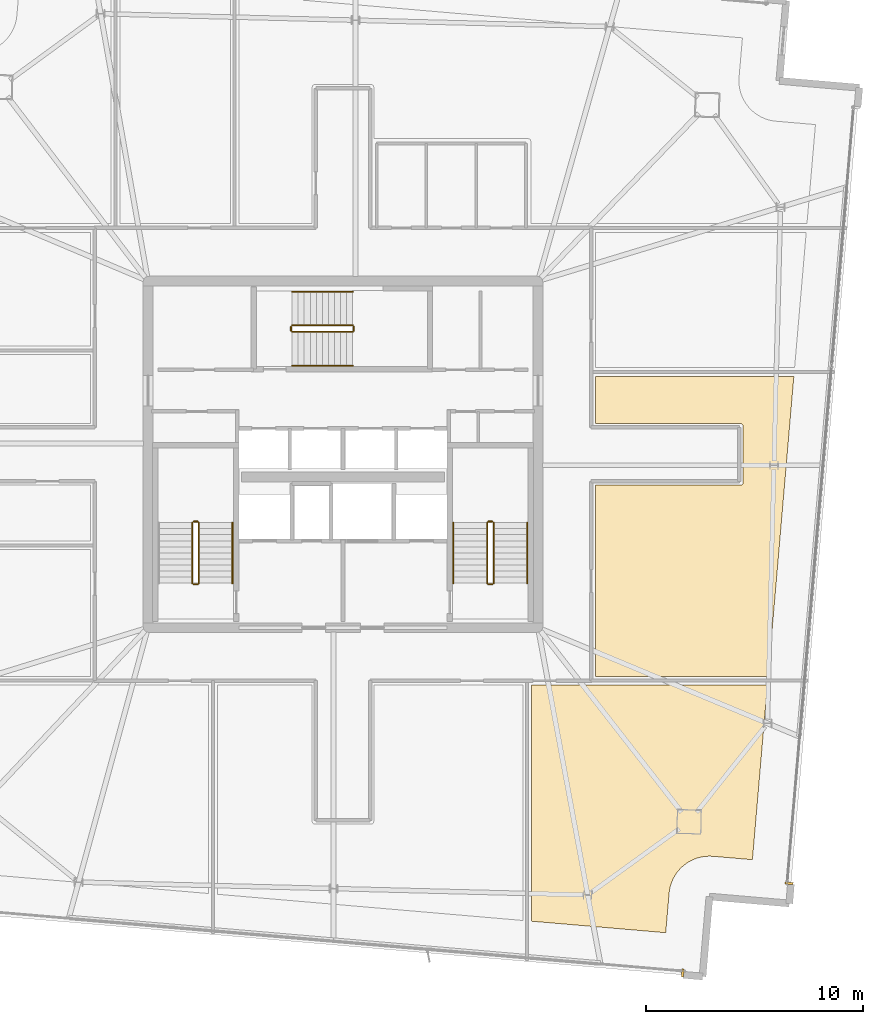
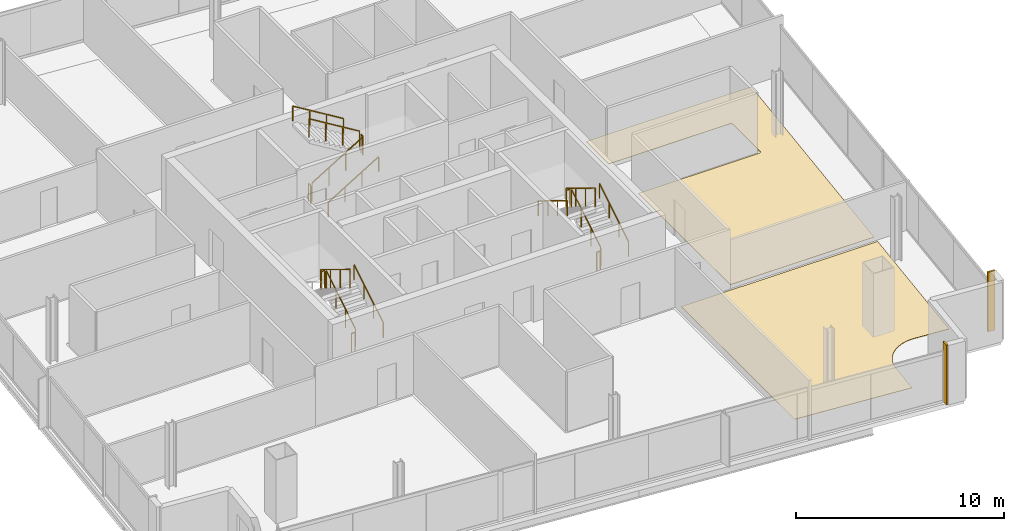
# One storey, part 23 of 24: 17 railings, 4 coverings.
"""IFC4 building model written with IfcOpenShell, lengths in metres."""

from ifc_helpers import new_model, si_unit, direction, frame, origin, origin_2d, place, context, subcontext, project, spatial, polyline, rectangle, outline, extrude, source, transform, mapped, material, layer, layer_set, type_object, element, save


model = new_model("IFC4")

# Units and contexts
model_context = context("Model", 3, precision=1e-05, world=origin(), true_north=direction((0.0, 1.0)))
body_context = subcontext(model_context, "Body", "Model", "MODEL_VIEW")
ifc_project = project(units=[si_unit("LENGTHUNIT", "METRE"), si_unit("AREAUNIT", "SQUARE_METRE"), si_unit("VOLUMEUNIT", "CUBIC_METRE"), si_unit("PLANEANGLEUNIT", "RADIAN"), si_unit("MASSUNIT", "GRAM", prefix="KILO")], contexts=[model_context])

# Site, building, storey
site_placement = place(None, origin())
site = spatial("IfcSite", under=ifc_project, at=site_placement, CompositionType="ELEMENT")
building_placement = place(site_placement, origin())
building = spatial("IfcBuilding", under=site, at=building_placement, Name="Haldenkirk Collegiate Tower", CompositionType="ELEMENT")
storey_placement = place(building_placement, frame((0.0, 0.0, 313.949951171875)))
storey = spatial("IfcBuildingStorey", under=building, at=storey_placement, Name="L79", CompositionType="ELEMENT", Elevation=313.949951171875)

# Coverings
ifc_material_1 = material(Name="Polished collegiate terrazzo", Category="concrete")
ifc_layer_1 = layer(ifc_material_1, 0.02490234375)
ifc_layer_set_1 = layer_set([ifc_layer_1], Name="Polished collegiate terrazzo")
covering_type_1 = type_object("IfcCoveringType", Name="COV-FLOOR-TERRAZZO", PredefinedType="FLOORING", material=ifc_layer_set_1)
covering_1_placement = place(storey_placement, origin())
element("IfcCovering", 1, at=covering_1_placement, inside=storey, type_object=covering_type_1, Name="L79 academic room finish 10", PredefinedType="FLOORING", context=body_context, shape_type="SweptSolid", body=[
    extrude(outline(polyline([(54.35009765625, 24.580078125), (54.36181640625, 24.58056640625), (54.373291015625, 24.582275390625), (54.384765625, 24.585205078125), (54.39599609375, 24.589111328125), (54.406494140625, 24.59423828125), (54.416748046875, 24.60009765625), (54.426025390625, 24.607177734375), (54.434814453125, 24.614990234375), (54.44287109375, 24.623779296875), (54.44970703125, 24.63330078125), (54.455810546875, 24.643310546875), (54.4609375, 24.654052734375), (54.46484375, 24.665283203125), (54.4677734375, 24.676513671875), (54.469482421875, 24.688232421875), (54.469970703125, 24.699951171875), (54.469970703125, 27.300048828125), (54.469482421875, 27.311767578125), (54.4677734375, 27.323486328125), (54.46484375, 27.334716796875), (54.4609375, 27.345947265625), (54.455810546875, 27.356689453125), (54.44970703125, 27.36669921875), (54.44287109375, 27.376220703125), (54.434814453125, 27.385009765625), (54.426025390625, 27.392822265625), (54.416748046875, 27.39990234375), (54.406494140625, 27.40576171875), (54.39599609375, 27.410888671875), (54.384765625, 27.414794921875), (54.373291015625, 27.417724609375), (54.36181640625, 27.41943359375), (54.35009765625, 27.419921875), (47.64990234375, 27.419921875), (47.64990234375, 29.60009765625), (56.813720703125, 29.60009765625), (55.626220703125, 15.75), (47.64990234375, 15.75), (47.64990234375, 24.580078125), (54.35009765625, 24.580078125)])), origin(), (0.0, 0.0, 1.0), 0.025146484375),
])
ifc_material_2 = material(Name="Engineered collegiate oak acoustic flooring", Category="wood")
ifc_layer_2 = layer(ifc_material_2, 0.02197265625)
ifc_layer_set_2 = layer_set([ifc_layer_2], Name="Engineered collegiate oak acoustic flooring")
covering_type_2 = type_object("IfcCoveringType", Name="COV-FLOOR-TIMBER", PredefinedType="FLOORING", material=ifc_layer_set_2)
covering_2_placement = place(storey_placement, origin())
element("IfcCovering", 2, at=covering_2_placement, inside=storey, type_object=covering_type_2, Name="L79 academic room finish 03", PredefinedType="FLOORING", context=body_context, shape_type="SweptSolid", body=[
    extrude(outline(polyline([(52.35791015625, 7.364501953125), (52.346435546875, 7.36083984375), (52.185546875, 7.301025390625), (52.1748046875, 7.29638671875), (52.0205078125, 7.220947265625), (52.01025390625, 7.215087890625), (51.864013671875, 7.125), (51.854248046875, 7.118408203125), (51.7177734375, 7.014404296875), (51.708740234375, 7.0068359375), (51.5830078125, 6.889892578125), (51.57470703125, 6.881591796875), (51.4609375, 6.752685546875), (51.45361328125, 6.74365234375), (51.35302734375, 6.604248046875), (51.3466796875, 6.594482421875), (51.26025390625, 6.446044921875), (51.2548828125, 6.435546875), (51.183349609375, 6.279296875), (51.178955078125, 6.2685546875), (51.123291015625, 6.10595703125), (51.119873046875, 6.0947265625), (51.080078125, 5.927490234375), (51.078125, 5.916015625), (51.05517578125, 5.745849609375), (51.054443359375, 5.739990234375), (50.898193359375, 3.916748046875), (44.699951171875, 4.447998046875), (44.699951171875, 15.35009765625), (55.591796875, 15.35009765625), (54.900634765625, 7.287109375), (53.077392578125, 7.443603515625), (53.071533203125, 7.44384765625), (52.89990234375, 7.4501953125), (52.887939453125, 7.449951171875), (52.716552734375, 7.439453125), (52.704833984375, 7.43798828125), (52.535400390625, 7.41064453125), (52.52392578125, 7.408203125), (52.35791015625, 7.364501953125)])), origin(), (0.0, 0.0, 1.0), 0.02197265625),
])

# Railings
ifc_material_3 = material(Name="Painted architectural tubular steel", Category="steel")
railing_type_1 = type_object("IfcRailingType", Name="RLG-STAIR-GUARD-1100", PredefinedType="BALUSTRADE", material=ifc_material_3)
railing_1_placement = place(storey_placement, frame((29.35009765625, 20.050048828125, 0.17041015625)))
element("IfcRailing", 3, at=railing_1_placement, inside=storey, type_object=railing_type_1, Name="L79 ST-1 stair guard 1", PredefinedType="BALUSTRADE", context=body_context, shape_type="SweptSolid", body=[
    extrude(rectangle(XDim=0.048095703125, YDim=0.048095703125, at=origin_2d()), frame((0.0, 0.0, 1.076171875), z_axis=(0.0, 0.854169791009, 0.51999420009), x_axis=(-1.0, 0.0, 0.0)), (0.0, 0.0, 1.0), 3.278076171875),
    extrude(rectangle(XDim=0.0419921875, YDim=0.0419921875, at=origin_2d()), origin(), (0.0, 0.0, 1.0), 1.052001953125),
    extrude(rectangle(XDim=0.0419921875, YDim=0.0419921875, at=origin_2d()), frame((0.0, 0.933349609375, 0.568115234375)), (0.0, 0.0, 1.0), 1.052001953125),
    extrude(rectangle(XDim=0.0419921875, YDim=0.0419921875, at=origin_2d()), frame((0.0, 1.86669921875, 1.136474609375)), (0.0, 0.0, 1.0), 1.052001953125),
    extrude(rectangle(XDim=0.0419921875, YDim=0.0419921875, at=origin_2d()), frame((0.0, 2.800048828125, 1.70458984375)), (0.0, 0.0, 1.0), 1.052001953125),
])
railing_2_placement = place(storey_placement, frame((29.300048828125, 22.89990234375, 1.875)))
element("IfcRailing", 4, at=railing_2_placement, inside=storey, type_object=railing_type_1, Name="L79 ST-1 stair guard 2", PredefinedType="BALUSTRADE", context=body_context, shape_type="SweptSolid", body=[
    extrude(rectangle(XDim=0.048095703125, YDim=0.048095703125, at=origin_2d()), frame((0.0, 0.0, 1.076171875), z_axis=(-1.0, 0.0, 0.0), x_axis=(0.0, -1.0, 0.0)), (0.0, 0.0, 1.0), 0.199951171875),
    extrude(rectangle(XDim=0.0419921875, YDim=0.0419921875, at=origin_2d()), origin(), (0.0, 0.0, 1.0), 1.052001953125),
    extrude(rectangle(XDim=0.0419921875, YDim=0.0419921875, at=origin_2d()), frame((-0.199951171875, 0.0, 0.0)), (0.0, 0.0, 1.0), 1.052001953125),
])
railing_3_placement = place(storey_placement, frame((29.050048828125, 22.85009765625, 2.04541015625)))
element("IfcRailing", 5, at=railing_3_placement, inside=storey, type_object=railing_type_1, Name="L79 ST-1 stair guard 3", PredefinedType="BALUSTRADE", context=body_context, shape_type="SweptSolid", body=[
    extrude(rectangle(XDim=0.048095703125, YDim=0.048095703125, at=origin_2d()), frame((0.0, 0.0, 1.076171875), z_axis=(0.0, -0.854169791009, 0.51999420009), x_axis=(1.0, 0.0, 0.0)), (0.0, 0.0, 1.0), 3.278076171875),
    extrude(rectangle(XDim=0.0419921875, YDim=0.0419921875, at=origin_2d()), origin(), (0.0, 0.0, 1.0), 1.052001953125),
    extrude(rectangle(XDim=0.0419921875, YDim=0.0419921875, at=origin_2d()), frame((0.0, -0.933349609375, 0.568115234375)), (0.0, 0.0, 1.0), 1.052001953125),
    extrude(rectangle(XDim=0.0419921875, YDim=0.0419921875, at=origin_2d()), frame((0.0, -1.86669921875, 1.136474609375)), (0.0, 0.0, 1.0), 1.052001953125),
    extrude(rectangle(XDim=0.0419921875, YDim=0.0419921875, at=origin_2d()), frame((0.0, -2.800048828125, 1.70458984375)), (0.0, 0.0, 1.0), 1.052001953125),
])
railing_4_placement = place(storey_placement, frame((29.300048828125, 20.0, 0.0)))
element("IfcRailing", 6, at=railing_4_placement, inside=storey, type_object=railing_type_1, Name="L79 ST-1 stair guard 4", PredefinedType="BALUSTRADE", context=body_context, shape_type="SweptSolid", body=[
    extrude(rectangle(XDim=0.048095703125, YDim=0.048095703125, at=origin_2d()), frame((0.0, 0.0, 1.076171875), z_axis=(-1.0, 0.0, 0.0), x_axis=(0.0, -1.0, 0.0)), (0.0, 0.0, 1.0), 0.199951171875),
    extrude(rectangle(XDim=0.0419921875, YDim=0.0419921875, at=origin_2d()), origin(), (0.0, 0.0, 1.0), 1.052001953125),
    extrude(rectangle(XDim=0.0419921875, YDim=0.0419921875, at=origin_2d()), frame((-0.199951171875, 0.0, 0.0)), (0.0, 0.0, 1.0), 1.052001953125),
])
railing_5_placement = place(storey_placement, frame((42.949951171875, 20.050048828125, 0.17041015625)))
element("IfcRailing", 7, at=railing_5_placement, inside=storey, type_object=railing_type_1, Name="L79 ST-2 stair guard 1", PredefinedType="BALUSTRADE", context=body_context, shape_type="SweptSolid", body=[
    extrude(rectangle(XDim=0.048095703125, YDim=0.048095703125, at=origin_2d()), frame((0.0, 0.0, 1.076171875), z_axis=(0.0, 0.854169791009, 0.51999420009), x_axis=(-1.0, 0.0, 0.0)), (0.0, 0.0, 1.0), 3.278076171875),
    extrude(rectangle(XDim=0.0419921875, YDim=0.0419921875, at=origin_2d()), origin(), (0.0, 0.0, 1.0), 1.052001953125),
    extrude(rectangle(XDim=0.0419921875, YDim=0.0419921875, at=origin_2d()), frame((0.0, 0.933349609375, 0.568115234375)), (0.0, 0.0, 1.0), 1.052001953125),
    extrude(rectangle(XDim=0.0419921875, YDim=0.0419921875, at=origin_2d()), frame((0.0, 1.86669921875, 1.136474609375)), (0.0, 0.0, 1.0), 1.052001953125),
    extrude(rectangle(XDim=0.0419921875, YDim=0.0419921875, at=origin_2d()), frame((0.0, 2.800048828125, 1.70458984375)), (0.0, 0.0, 1.0), 1.052001953125),
])
railing_6_placement = place(storey_placement, frame((42.89990234375, 22.89990234375, 1.875)))
element("IfcRailing", 8, at=railing_6_placement, inside=storey, type_object=railing_type_1, Name="L79 ST-2 stair guard 2", PredefinedType="BALUSTRADE", context=body_context, shape_type="SweptSolid", body=[
    extrude(rectangle(XDim=0.048095703125, YDim=0.048095703125, at=origin_2d()), frame((0.0, 0.0, 1.076171875), z_axis=(-1.0, 0.0, 0.0), x_axis=(0.0, -1.0, 0.0)), (0.0, 0.0, 1.0), 0.199951171875),
    extrude(rectangle(XDim=0.0419921875, YDim=0.0419921875, at=origin_2d()), origin(), (0.0, 0.0, 1.0), 1.052001953125),
    extrude(rectangle(XDim=0.0419921875, YDim=0.0419921875, at=origin_2d()), frame((-0.199951171875, 0.0, 0.0)), (0.0, 0.0, 1.0), 1.052001953125),
])
railing_7_placement = place(storey_placement, frame((42.64990234375, 22.85009765625, 2.04541015625)))
element("IfcRailing", 9, at=railing_7_placement, inside=storey, type_object=railing_type_1, Name="L79 ST-2 stair guard 3", PredefinedType="BALUSTRADE", context=body_context, shape_type="SweptSolid", body=[
    extrude(rectangle(XDim=0.048095703125, YDim=0.048095703125, at=origin_2d()), frame((0.0, 0.0, 1.076171875), z_axis=(0.0, -0.854169791009, 0.51999420009), x_axis=(1.0, 0.0, 0.0)), (0.0, 0.0, 1.0), 3.278076171875),
    extrude(rectangle(XDim=0.0419921875, YDim=0.0419921875, at=origin_2d()), origin(), (0.0, 0.0, 1.0), 1.052001953125),
    extrude(rectangle(XDim=0.0419921875, YDim=0.0419921875, at=origin_2d()), frame((0.0, -0.933349609375, 0.568115234375)), (0.0, 0.0, 1.0), 1.052001953125),
    extrude(rectangle(XDim=0.0419921875, YDim=0.0419921875, at=origin_2d()), frame((0.0, -1.86669921875, 1.136474609375)), (0.0, 0.0, 1.0), 1.052001953125),
    extrude(rectangle(XDim=0.0419921875, YDim=0.0419921875, at=origin_2d()), frame((0.0, -2.800048828125, 1.70458984375)), (0.0, 0.0, 1.0), 1.052001953125),
])
railing_8_placement = place(storey_placement, frame((42.89990234375, 20.0, 0.0)))
element("IfcRailing", 10, at=railing_8_placement, inside=storey, type_object=railing_type_1, Name="L79 ST-2 stair guard 4", PredefinedType="BALUSTRADE", context=body_context, shape_type="SweptSolid", body=[
    extrude(rectangle(XDim=0.048095703125, YDim=0.048095703125, at=origin_2d()), frame((0.0, 0.0, 1.076171875), z_axis=(-1.0, 0.0, 0.0), x_axis=(0.0, -1.0, 0.0)), (0.0, 0.0, 1.0), 0.199951171875),
    extrude(rectangle(XDim=0.0419921875, YDim=0.0419921875, at=origin_2d()), origin(), (0.0, 0.0, 1.0), 1.052001953125),
    extrude(rectangle(XDim=0.0419921875, YDim=0.0419921875, at=origin_2d()), frame((-0.199951171875, 0.0, 0.0)), (0.0, 0.0, 1.0), 1.052001953125),
])
railing_9_placement = place(storey_placement, frame((33.64990234375, 31.64990234375, 0.17041015625)))
element("IfcRailing", 11, at=railing_9_placement, inside=storey, type_object=railing_type_1, Name="L79 ST-3 stair guard 1", PredefinedType="BALUSTRADE", context=body_context, shape_type="SweptSolid", body=[
    extrude(rectangle(XDim=0.048095703125, YDim=0.048095703125, at=origin_2d()), frame((0.0, 0.0, 1.076171875), z_axis=(0.854169791009, 0.0, 0.51999420009), x_axis=(0.0, 1.0, 0.0)), (0.0, 0.0, 1.0), 3.278076171875),
    extrude(rectangle(XDim=0.0419921875, YDim=0.0419921875, at=origin_2d()), origin(), (0.0, 0.0, 1.0), 1.052001953125),
    extrude(rectangle(XDim=0.0419921875, YDim=0.0419921875, at=origin_2d()), frame((0.933349609375, 0.0, 0.568115234375)), (0.0, 0.0, 1.0), 1.052001953125),
    extrude(rectangle(XDim=0.0419921875, YDim=0.0419921875, at=origin_2d()), frame((1.86669921875, 0.0, 1.136474609375)), (0.0, 0.0, 1.0), 1.052001953125),
    extrude(rectangle(XDim=0.0419921875, YDim=0.0419921875, at=origin_2d()), frame((2.800048828125, 0.0, 1.70458984375)), (0.0, 0.0, 1.0), 1.052001953125),
])
railing_10_placement = place(storey_placement, frame((36.5, 31.699951171875, 1.875)))
element("IfcRailing", 12, at=railing_10_placement, inside=storey, type_object=railing_type_1, Name="L79 ST-3 stair guard 2", PredefinedType="BALUSTRADE", context=body_context, shape_type="SweptSolid", body=[
    extrude(rectangle(XDim=0.048095703125, YDim=0.048095703125, at=origin_2d()), frame((0.0, 0.0, 1.076171875), z_axis=(0.0, 1.0, 0.0), x_axis=(-1.0, 0.0, 0.0)), (0.0, 0.0, 1.0), 0.199951171875),
    extrude(rectangle(XDim=0.0419921875, YDim=0.0419921875, at=origin_2d()), origin(), (0.0, 0.0, 1.0), 1.052001953125),
    extrude(rectangle(XDim=0.0419921875, YDim=0.0419921875, at=origin_2d()), frame((0.0, 0.199951171875, 0.0)), (0.0, 0.0, 1.0), 1.052001953125),
])
railing_11_placement = place(storey_placement, frame((36.449951171875, 31.949951171875, 2.04541015625)))
element("IfcRailing", 13, at=railing_11_placement, inside=storey, type_object=railing_type_1, Name="L79 ST-3 stair guard 3", PredefinedType="BALUSTRADE", context=body_context, shape_type="SweptSolid", body=[
    extrude(rectangle(XDim=0.048095703125, YDim=0.048095703125, at=origin_2d()), frame((0.0, 0.0, 1.076171875), z_axis=(-0.854169791009, 0.0, 0.51999420009), x_axis=(0.0, -1.0, 0.0)), (0.0, 0.0, 1.0), 3.278076171875),
    extrude(rectangle(XDim=0.0419921875, YDim=0.0419921875, at=origin_2d()), origin(), (0.0, 0.0, 1.0), 1.052001953125),
    extrude(rectangle(XDim=0.0419921875, YDim=0.0419921875, at=origin_2d()), frame((-0.933349609375, 0.0, 0.568115234375)), (0.0, 0.0, 1.0), 1.052001953125),
    extrude(rectangle(XDim=0.0419921875, YDim=0.0419921875, at=origin_2d()), frame((-1.86669921875, 0.0, 1.136474609375)), (0.0, 0.0, 1.0), 1.052001953125),
    extrude(rectangle(XDim=0.0419921875, YDim=0.0419921875, at=origin_2d()), frame((-2.800048828125, 0.0, 1.70458984375)), (0.0, 0.0, 1.0), 1.052001953125),
])
railing_12_placement = place(storey_placement, frame((33.60009765625, 31.699951171875, 0.0)))
element("IfcRailing", 14, at=railing_12_placement, inside=storey, type_object=railing_type_1, Name="L79 ST-3 stair guard 4", PredefinedType="BALUSTRADE", context=body_context, shape_type="SweptSolid", body=[
    extrude(rectangle(XDim=0.048095703125, YDim=0.048095703125, at=origin_2d()), frame((0.0, 0.0, 1.076171875), z_axis=(0.0, 1.0, 0.0), x_axis=(-1.0, 0.0, 0.0)), (0.0, 0.0, 1.0), 0.199951171875),
    extrude(rectangle(XDim=0.0419921875, YDim=0.0419921875, at=origin_2d()), origin(), (0.0, 0.0, 1.0), 1.052001953125),
    extrude(rectangle(XDim=0.0419921875, YDim=0.0419921875, at=origin_2d()), frame((0.0, 0.199951171875, 0.0)), (0.0, 0.0, 1.0), 1.052001953125),
])
railing_type_2 = type_object("IfcRailingType", Name="RLG-STAIR-HANDRAIL-900", PredefinedType="HANDRAIL", material=ifc_material_3)
for number, where, name in (
    (15, (30.89990234375, 20.050048828125, 0.17041015625), "L79 ST-1 stair handrail 1"),
    (16, (44.5, 20.050048828125, 0.17041015625), "L79 ST-2 stair handrail 1"),
):
    element("IfcRailing", number, at=place(storey_placement, frame(where)), inside=storey, type_object=railing_type_2, Name=name, PredefinedType="HANDRAIL", context=body_context, shape_type="SweptSolid", body=[
        extrude(rectangle(XDim=0.048095703125, YDim=0.048095703125, at=origin_2d()), frame((0.0, 0.0, 0.8759765625), z_axis=(0.0, 0.854169791009, 0.51999420009), x_axis=(-1.0, 0.0, 0.0)), (0.0, 0.0, 1.0), 3.278076171875),
        extrude(rectangle(XDim=0.0419921875, YDim=0.0419921875, at=origin_2d()), origin(), (0.0, 0.0, 1.0), 0.851806640625),
        extrude(rectangle(XDim=0.0419921875, YDim=0.0419921875, at=origin_2d()), frame((0.0, 0.933349609375, 0.568115234375)), (0.0, 0.0, 1.0), 0.851806640625),
        extrude(rectangle(XDim=0.0419921875, YDim=0.0419921875, at=origin_2d()), frame((0.0, 1.86669921875, 1.136474609375)), (0.0, 0.0, 1.0), 0.851806640625),
        extrude(rectangle(XDim=0.0419921875, YDim=0.0419921875, at=origin_2d()), frame((0.0, 2.800048828125, 1.70458984375)), (0.0, 0.0, 1.0), 0.851806640625),
    ])
railing_13_placement = place(storey_placement, frame((41.10009765625, 22.85009765625, 2.04541015625)))
element("IfcRailing", 17, at=railing_13_placement, inside=storey, type_object=railing_type_2, Name="L79 ST-2 stair handrail 2", PredefinedType="HANDRAIL", context=body_context, shape_type="SweptSolid", body=[
    extrude(rectangle(XDim=0.048095703125, YDim=0.048095703125, at=origin_2d()), frame((0.0, 0.0, 0.8759765625), z_axis=(0.0, -0.854169791009, 0.51999420009), x_axis=(1.0, 0.0, 0.0)), (0.0, 0.0, 1.0), 3.278076171875),
    extrude(rectangle(XDim=0.0419921875, YDim=0.0419921875, at=origin_2d()), origin(), (0.0, 0.0, 1.0), 0.851806640625),
    extrude(rectangle(XDim=0.0419921875, YDim=0.0419921875, at=origin_2d()), frame((0.0, -0.933349609375, 0.568115234375)), (0.0, 0.0, 1.0), 0.851806640625),
    extrude(rectangle(XDim=0.0419921875, YDim=0.0419921875, at=origin_2d()), frame((0.0, -1.86669921875, 1.136474609375)), (0.0, 0.0, 1.0), 0.851806640625),
    extrude(rectangle(XDim=0.0419921875, YDim=0.0419921875, at=origin_2d()), frame((0.0, -2.800048828125, 1.70458984375)), (0.0, 0.0, 1.0), 0.851806640625),
])
railing_14_placement = place(storey_placement, frame((33.64990234375, 30.10009765625, 0.17041015625)))
element("IfcRailing", 18, at=railing_14_placement, inside=storey, type_object=railing_type_2, Name="L79 ST-3 stair handrail 1", PredefinedType="HANDRAIL", context=body_context, shape_type="SweptSolid", body=[
    extrude(rectangle(XDim=0.048095703125, YDim=0.048095703125, at=origin_2d()), frame((0.0, 0.0, 0.8759765625), z_axis=(0.854169791009, 0.0, 0.51999420009), x_axis=(0.0, 1.0, 0.0)), (0.0, 0.0, 1.0), 3.278076171875),
    extrude(rectangle(XDim=0.0419921875, YDim=0.0419921875, at=origin_2d()), origin(), (0.0, 0.0, 1.0), 0.851806640625),
    extrude(rectangle(XDim=0.0419921875, YDim=0.0419921875, at=origin_2d()), frame((0.933349609375, 0.0, 0.568115234375)), (0.0, 0.0, 1.0), 0.851806640625),
    extrude(rectangle(XDim=0.0419921875, YDim=0.0419921875, at=origin_2d()), frame((1.86669921875, 0.0, 1.136474609375)), (0.0, 0.0, 1.0), 0.851806640625),
    extrude(rectangle(XDim=0.0419921875, YDim=0.0419921875, at=origin_2d()), frame((2.800048828125, 0.0, 1.70458984375)), (0.0, 0.0, 1.0), 0.851806640625),
])
railing_15_placement = place(storey_placement, frame((36.449951171875, 33.5, 2.04541015625)))
element("IfcRailing", 19, at=railing_15_placement, inside=storey, type_object=railing_type_2, Name="L79 ST-3 stair handrail 2", PredefinedType="HANDRAIL", context=body_context, shape_type="SweptSolid", body=[
    extrude(rectangle(XDim=0.048095703125, YDim=0.048095703125, at=origin_2d()), frame((0.0, 0.0, 0.8759765625), z_axis=(-0.854169791009, 0.0, 0.51999420009), x_axis=(0.0, -1.0, 0.0)), (0.0, 0.0, 1.0), 3.278076171875),
    extrude(rectangle(XDim=0.0419921875, YDim=0.0419921875, at=origin_2d()), origin(), (0.0, 0.0, 1.0), 0.851806640625),
    extrude(rectangle(XDim=0.0419921875, YDim=0.0419921875, at=origin_2d()), frame((-0.933349609375, 0.0, 0.568115234375)), (0.0, 0.0, 1.0), 0.851806640625),
    extrude(rectangle(XDim=0.0419921875, YDim=0.0419921875, at=origin_2d()), frame((-1.86669921875, 0.0, 1.136474609375)), (0.0, 0.0, 1.0), 0.851806640625),
    extrude(rectangle(XDim=0.0419921875, YDim=0.0419921875, at=origin_2d()), frame((-2.800048828125, 0.0, 1.70458984375)), (0.0, 0.0, 1.0), 0.851806640625),
])

# Coverings
ifc_material_4 = material(Name="Anodised architectural bronze aluminium", Category="aluminium")
ifc_layer_3 = layer(ifc_material_4, 0.06005859375)
ifc_layer_set_3 = layer_set([ifc_layer_3], Name="Anodised architectural bronze aluminium")
covering_type_3 = type_object("IfcCoveringType", Name="COV-CLAD-BRONZE-60", PredefinedType="CLADDING", material=ifc_layer_set_3)
shared_shape = source(origin(), body_context, "Body", "SweptSolid", [
    extrude(rectangle(XDim=0.10009765625, YDim=0.3798828125, at=origin_2d()), origin(), (0.0, 0.0, 1.0), 3.489990234375),
])
for number, where, z_axis, x_axis, name in (
    (20, (56.593994140625, 6.198486328125, 0.0), (0.0, 0.0, 1.0), (-0.085416923137, -0.996345296191, 0.0), "L79 recessed curtain-wall bronze jamb closure SJR"),
    (21, (51.6826171875, 2.06298828125, 0.0), (0.0, 0.0, 1.0), (-0.996345296191, 0.085416923137, 0.0), "L79 recessed curtain-wall bronze jamb closure WJL"),
):
    element("IfcCovering", number, at=place(storey_placement, frame(where, z_axis=z_axis, x_axis=x_axis)), inside=storey, type_object=covering_type_3, Name=name, PredefinedType="CLADDING", context=body_context, shape_type="MappedRepresentation", body=[
        mapped(shared_shape, transform((0.0, 0.0, 0.0), x_axis=(1.0, 0.0, 0.0), y_axis=(0.0, 1.0, 0.0), z_axis=(0.0, 0.0, 1.0), scale=1.0)),
    ])

save(model, "model.ifc")
